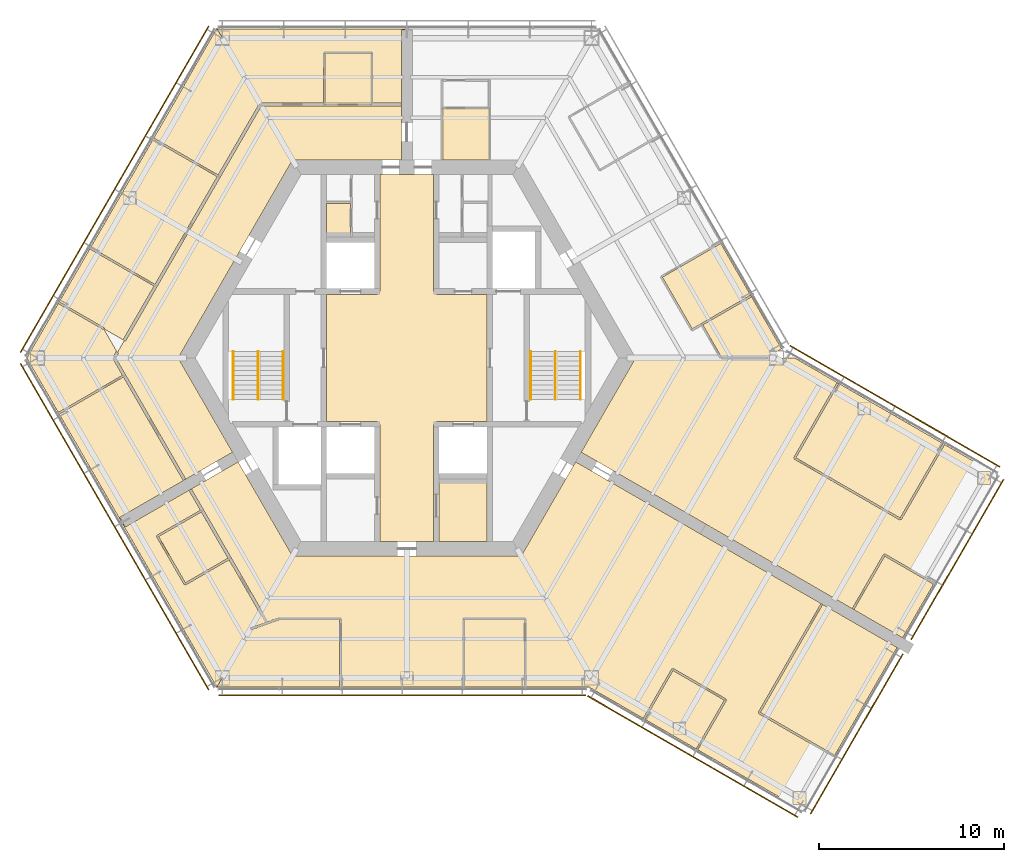
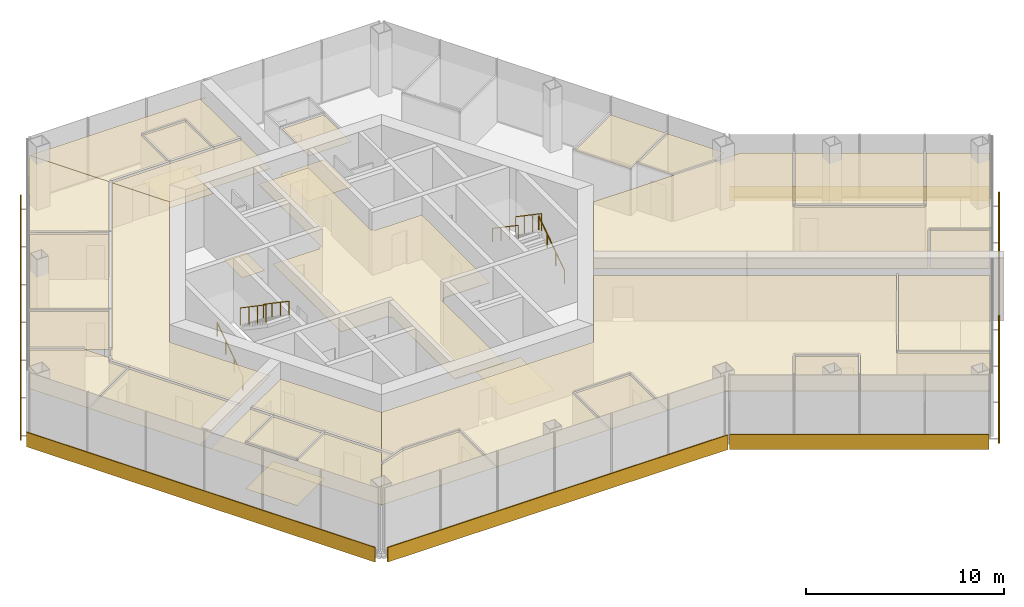
# One storey, part 15 of 16: 29 coverings, 7 shading devices, 6 railings.
"""IFC4 building model written with IfcOpenShell, lengths in metres."""

from ifc_helpers import new_model, si_unit, direction, frame, origin, origin_2d, place, context, subcontext, project, spatial, polyline, rectangle, circle, outline, extrude, material, layer, layer_set, type_object, element, save


model = new_model("IFC4")

# Units and contexts
model_context = context("Model", 3, precision=1e-05, world=origin(), true_north=direction((0.0, 1.0)))
body_context = subcontext(model_context, "Body", "Model", "MODEL_VIEW")
ifc_project = project(units=[si_unit("LENGTHUNIT", "METRE"), si_unit("AREAUNIT", "SQUARE_METRE"), si_unit("VOLUMEUNIT", "CUBIC_METRE"), si_unit("PLANEANGLEUNIT", "RADIAN"), si_unit("MASSUNIT", "GRAM", prefix="KILO")], contexts=[model_context])

# Site, building, storey
site_placement = place(None, origin())
site = spatial("IfcSite", under=ifc_project, at=site_placement, CompositionType="ELEMENT")
building_placement = place(site_placement, origin())
building = spatial("IfcBuilding", under=site, at=building_placement, Name="Kasaneha Research Tower", CompositionType="ELEMENT")
storey_placement = place(building_placement, frame((0.0, 0.0, 255.699951171875)))
storey = spatial("IfcBuildingStorey", under=building, at=storey_placement, Name="L64", CompositionType="ELEMENT", Elevation=255.699951171875)

# Covering
ifc_material_1 = material(Name="Aluminium panel ceiling", Category="aluminium")
ifc_layer_1 = layer(ifc_material_1, 0.0400390625)
ifc_layer_set_1 = layer_set([ifc_layer_1], Name="Lift lobby ceiling 40")
covering_type_1 = type_object("IfcCoveringType", Name="Lift lobby ceiling 40", PredefinedType="CEILING", material=ifc_layer_set_1)
covering_1_placement = place(storey_placement, frame((0.0, 0.0, 2.699951171875)))
element("IfcCovering", 1, at=covering_1_placement, inside=storey, type_object=covering_type_1, Name="Ceiling L64-01", PredefinedType="CEILING", context=body_context, shape_type="SweptSolid", body=[
    extrude(outline(polyline([(1.449951171875, 9.925048828125), (1.449951171875, 3.60009765625), (1.60009765625, 3.60009765625), (1.60009765625, 3.449951171875), (4.35009765625, 3.449951171875), (4.35009765625, -3.449951171875), (1.60009765625, -3.449951171875), (1.60009765625, -3.60009765625), (1.449951171875, -3.60009765625), (1.449951171875, -9.925048828125), (-1.449951171875, -9.925048828125), (-1.449951171875, -3.60009765625), (-1.60009765625, -3.60009765625), (-1.60009765625, -3.449951171875), (-4.35009765625, -3.449951171875), (-4.35009765625, 3.449951171875), (-1.60009765625, 3.449951171875), (-1.60009765625, 3.60009765625), (-1.449951171875, 3.60009765625), (-1.449951171875, 9.925048828125), (1.449951171875, 9.925048828125)])), origin(), (0.0, 0.0, 1.0), 0.0400390625),
])

# Railings
ifc_material_2 = material(Name="Steel", Category="steel")
railing_type_1 = type_object("IfcRailingType", Name="Stair balustrade 1100", PredefinedType="GUARDRAIL", material=ifc_material_2)
for number, where, name in (
    (2, (8.050048828125, 0.35009765625, 2.12744140625), "Stair 1 balustrade L64"),
    (3, (-8.050048828125, 0.35009765625, 2.12744140625), "Stair 2 balustrade L64"),
):
    element("IfcRailing", number, at=place(storey_placement, frame(where)), inside=storey, type_object=railing_type_1, Name=name, PredefinedType="GUARDRAIL", context=body_context, shape_type="SweptSolid", body=[
        extrude(circle(Radius=0.02392578125, at=origin_2d()), frame((0.0, 0.0, 1.076171875), z_axis=(0.0, -0.826240473404, 0.563317565952), x_axis=(1.0, 0.0, 0.0)), (0.0, 0.0, 1.0), 3.14697265625),
        extrude(circle(Radius=0.02099609375, at=origin_2d()), origin(), (0.0, 0.0, 1.0), 1.052001953125),
        extrude(circle(Radius=0.02099609375, at=origin_2d()), frame((0.0, -0.86669921875, 0.5908203125)), (0.0, 0.0, 1.0), 1.052001953125),
        extrude(circle(Radius=0.02099609375, at=origin_2d()), frame((0.0, -1.7333984375, 1.181884765625)), (0.0, 0.0, 1.0), 1.052001953125),
        extrude(circle(Radius=0.02099609375, at=origin_2d()), frame((0.0, -2.60009765625, 1.772705078125)), (0.0, 0.0, 1.0), 1.052001953125),
    ])
ifc_material_3 = material(Name="Steel", Category="steel")
railing_type_2 = type_object("IfcRailingType", Name="Stair handrail 850", PredefinedType="HANDRAIL", material=ifc_material_3)
railing_1_placement = place(storey_placement, frame((9.39990234375, -2.25, 0.17724609375)))
element("IfcRailing", 4, at=railing_1_placement, inside=storey, type_object=railing_type_2, Name="Stair 1 handrail L64", PredefinedType="HANDRAIL", context=body_context, shape_type="SweptSolid", body=[
    extrude(circle(Radius=0.02392578125, at=origin_2d()), frame((0.0, 0.0, 0.826171875), z_axis=(0.0, 0.826240473404, 0.563317565952), x_axis=(-1.0, 0.0, 0.0)), (0.0, 0.0, 1.0), 3.14697265625),
    extrude(circle(Radius=0.02099609375, at=origin_2d()), origin(), (0.0, 0.0, 1.0), 0.802001953125),
    extrude(circle(Radius=0.02099609375, at=origin_2d()), frame((0.0, 0.86669921875, 0.5908203125)), (0.0, 0.0, 1.0), 0.802001953125),
    extrude(circle(Radius=0.02099609375, at=origin_2d()), frame((0.0, 1.7333984375, 1.181884765625)), (0.0, 0.0, 1.0), 0.802001953125),
    extrude(circle(Radius=0.02099609375, at=origin_2d()), frame((0.0, 2.60009765625, 1.772705078125)), (0.0, 0.0, 1.0), 0.802001953125),
])
railing_2_placement = place(storey_placement, frame((6.699951171875, 0.35009765625, 2.12744140625)))
element("IfcRailing", 5, at=railing_2_placement, inside=storey, type_object=railing_type_2, Name="Stair 1 handrail L64", PredefinedType="HANDRAIL", context=body_context, shape_type="SweptSolid", body=[
    extrude(circle(Radius=0.02392578125, at=origin_2d()), frame((0.0, 0.0, 0.826171875), z_axis=(0.0, -0.826240473404, 0.563317565952), x_axis=(1.0, 0.0, 0.0)), (0.0, 0.0, 1.0), 3.14697265625),
    extrude(circle(Radius=0.02099609375, at=origin_2d()), origin(), (0.0, 0.0, 1.0), 0.802001953125),
    extrude(circle(Radius=0.02099609375, at=origin_2d()), frame((0.0, -0.86669921875, 0.5908203125)), (0.0, 0.0, 1.0), 0.802001953125),
    extrude(circle(Radius=0.02099609375, at=origin_2d()), frame((0.0, -1.7333984375, 1.181884765625)), (0.0, 0.0, 1.0), 0.802001953125),
    extrude(circle(Radius=0.02099609375, at=origin_2d()), frame((0.0, -2.60009765625, 1.772705078125)), (0.0, 0.0, 1.0), 0.802001953125),
])
railing_3_placement = place(storey_placement, frame((-9.39990234375, -2.25, 0.17724609375)))
element("IfcRailing", 6, at=railing_3_placement, inside=storey, type_object=railing_type_2, Name="Stair 2 handrail L64", PredefinedType="HANDRAIL", context=body_context, shape_type="SweptSolid", body=[
    extrude(circle(Radius=0.02392578125, at=origin_2d()), frame((0.0, 0.0, 0.826171875), z_axis=(0.0, 0.826240473404, 0.563317565952), x_axis=(-1.0, 0.0, 0.0)), (0.0, 0.0, 1.0), 3.14697265625),
    extrude(circle(Radius=0.02099609375, at=origin_2d()), origin(), (0.0, 0.0, 1.0), 0.802001953125),
    extrude(circle(Radius=0.02099609375, at=origin_2d()), frame((0.0, 0.86669921875, 0.5908203125)), (0.0, 0.0, 1.0), 0.802001953125),
    extrude(circle(Radius=0.02099609375, at=origin_2d()), frame((0.0, 1.7333984375, 1.181884765625)), (0.0, 0.0, 1.0), 0.802001953125),
    extrude(circle(Radius=0.02099609375, at=origin_2d()), frame((0.0, 2.60009765625, 1.772705078125)), (0.0, 0.0, 1.0), 0.802001953125),
])
railing_4_placement = place(storey_placement, frame((-6.699951171875, 0.35009765625, 2.12744140625)))
element("IfcRailing", 7, at=railing_4_placement, inside=storey, type_object=railing_type_2, Name="Stair 2 handrail L64", PredefinedType="HANDRAIL", context=body_context, shape_type="SweptSolid", body=[
    extrude(circle(Radius=0.02392578125, at=origin_2d()), frame((0.0, 0.0, 0.826171875), z_axis=(0.0, -0.826240473404, 0.563317565952), x_axis=(1.0, 0.0, 0.0)), (0.0, 0.0, 1.0), 3.14697265625),
    extrude(circle(Radius=0.02099609375, at=origin_2d()), origin(), (0.0, 0.0, 1.0), 0.802001953125),
    extrude(circle(Radius=0.02099609375, at=origin_2d()), frame((0.0, -0.86669921875, 0.5908203125)), (0.0, 0.0, 1.0), 0.802001953125),
    extrude(circle(Radius=0.02099609375, at=origin_2d()), frame((0.0, -1.7333984375, 1.181884765625)), (0.0, 0.0, 1.0), 0.802001953125),
    extrude(circle(Radius=0.02099609375, at=origin_2d()), frame((0.0, -2.60009765625, 1.772705078125)), (0.0, 0.0, 1.0), 0.802001953125),
])

# Coverings
ifc_material_4 = material(Name="Gypsum ceiling board", Category="gypsum")
ifc_layer_2 = layer(ifc_material_4, 0.02001953125)
ifc_layer_set_2 = layer_set([ifc_layer_2], Name="Suspended ceiling 20")
covering_type_2 = type_object("IfcCoveringType", Name="Suspended ceiling 20", PredefinedType="CEILING", material=ifc_layer_set_2)
covering_2_placement = place(storey_placement, frame((0.0, 0.0, 2.800048828125)))
element("IfcCovering", 8, at=covering_2_placement, inside=storey, type_object=covering_type_2, Name="Ceiling L64-26", PredefinedType="CEILING", context=body_context, shape_type="SweptSolid", body=[
    extrude(outline(polyline([(1.89990234375, 10.72509765625), (1.89990234375, 10.7451171875), (1.949951171875, 10.744873046875), (1.95458984375, 13.469970703125), (4.410400390625, 13.469970703125), (4.4150390625, 10.744873046875), (4.465087890625, 10.7451171875), (4.465087890625, 10.72509765625), (1.89990234375, 10.72509765625)])), origin(), (0.0, 0.0, 1.0), 0.02001953125),
])
covering_3_placement = place(storey_placement, frame((0.0, 0.0, 2.800048828125)))
element("IfcCovering", 9, at=covering_3_placement, inside=storey, type_object=covering_type_2, Name="Ceiling L64-28", PredefinedType="CEILING", context=body_context, shape_type="SweptSolid", body=[
    extrude(outline(polyline([(18.63720703125, 3.360595703125), (18.619873046875, 3.3505859375), (18.5947265625, 3.393798828125), (15.923095703125, 1.851318359375), (15.923095703125, 1.851318359375), (15.451171875, 1.578857421875), (13.835693359375, 4.376953125), (16.99658203125, 6.201904296875), (18.63720703125, 3.360595703125)])), origin(), (0.0, 0.0, 1.0), 0.02001953125),
])
covering_4_placement = place(storey_placement, frame((0.0, 0.0, 2.800048828125)))
element("IfcCovering", 10, at=covering_4_placement, inside=storey, type_object=covering_type_2, Name="Ceiling L64-30", PredefinedType="CEILING", context=body_context, shape_type="SweptSolid", body=[
    extrude(outline(polyline([(16.997802734375, 0.0), (16.986328125, 0.02001953125), (17.029541015625, 0.044921875), (16.024658203125, 1.79443359375), (18.644775390625, 3.30712890625), (18.619873046875, 3.3505859375), (18.63720703125, 3.360595703125), (20.28759765625, 0.501708984375), (19.41845703125, 0.0), (16.997802734375, 0.0)])), origin(), (0.0, 0.0, 1.0), 0.02001953125),
])
covering_5_placement = place(storey_placement, frame((0.0, 0.0, 2.800048828125)))
element("IfcCovering", 11, at=covering_5_placement, inside=storey, type_object=covering_type_2, Name="Ceiling L64-32", PredefinedType="CEILING", context=body_context, shape_type="SweptSolid", body=[
    extrude(outline(polyline([(-0.300048828125, 11.72509765625), (-0.300048828125, 10.72509765625), (-6.192138671875, 10.72509765625), (-7.880859375, 13.64990234375), (-4.469970703125, 13.64990234375), (-4.46044921875, 13.64990234375), (-1.904541015625, 13.64990234375), (-1.89501953125, 13.64990234375), (-0.320068359375, 13.64990234375), (-0.320068359375, 13.72509765625), (-0.300048828125, 13.72509765625), (-0.300048828125, 12.72509765625), (-0.300048828125, 11.72509765625)])), origin(), (0.0, 0.0, 1.0), 0.02001953125),
])
covering_6_placement = place(storey_placement, frame((0.0, 0.0, 2.800048828125)))
element("IfcCovering", 12, at=covering_6_placement, inside=storey, type_object=covering_type_2, Name="Ceiling L64-33", PredefinedType="CEILING", context=body_context, shape_type="SweptSolid", body=[
    extrude(outline(polyline([(-1.9501953125, 16.47509765625), (-1.954345703125, 13.800048828125), (-4.41064453125, 13.800048828125), (-4.4150390625, 16.47509765625), (-1.9501953125, 16.47509765625)])), origin(), (0.0, 0.0, 1.0), 0.02001953125),
])
covering_7_placement = place(storey_placement, frame((0.0, 0.0, 2.800048828125)))
element("IfcCovering", 13, at=covering_7_placement, inside=storey, type_object=covering_type_2, Name="Ceiling L64-34", PredefinedType="CEILING", context=body_context, shape_type="SweptSolid", body=[
    extrude(outline(polyline([(-0.320068359375, 13.7255859375), (-0.320068359375, 13.800048828125), (-1.8544921875, 13.800048828125), (-1.85009765625, 16.52490234375), (-1.899658203125, 16.52490234375), (-1.899658203125, 16.525390625), (-1.89990234375, 16.525390625), (-1.89990234375, 16.574951171875), (-4.465087890625, 16.574951171875), (-4.465087890625, 16.525390625), (-4.465087890625, 16.52490234375), (-4.514892578125, 16.52490234375), (-4.510498046875, 13.800048828125), (-7.90087890625, 13.800048828125), (-7.90087890625, 13.725341796875), (-7.92431640625, 13.725341796875), (-10.28857421875, 17.820556640625), (0.0, 17.820556640625), (0.0, 17.7705078125), (-0.300048828125, 17.7705078125), (-0.300048828125, 17.7705078125), (-0.300048828125, 13.7255859375), (-0.320068359375, 13.7255859375)])), origin(), (0.0, 0.0, 1.0), 0.02001953125),
])
covering_8_placement = place(storey_placement, frame((0.0, 0.0, 2.800048828125)))
element("IfcCovering", 14, at=covering_8_placement, inside=storey, type_object=covering_type_2, Name="Ceiling L64-35", PredefinedType="CEILING", context=body_context, shape_type="SweptSolid", body=[
    extrude(outline(polyline([(-12.38427734375, 0.0), (-9.438232421875, -5.102783203125), (-10.30419921875, -5.602783203125), (-10.30419921875, -5.602783203125), (-11.170166015625, -6.102783203125), (-11.170166015625, -6.102783203125), (-12.0361328125, -6.602783203125), (-12.046142578125, -6.58544921875), (-11.981201171875, -6.5478515625), (-15.239013671875, -0.905517578125), (-15.239013671875, -0.905517578125), (-15.76171875, 0.0), (-15.607177734375, 0.267578125), (-15.672119140625, 0.304931640625), (-15.30419921875, 0.9423828125), (-15.2392578125, 0.90478515625), (-13.5263671875, 3.871337890625), (-13.526611328125, 3.871337890625), (-10.111328125, 9.786865234375), (-10.111328125, 9.786865234375), (-7.880859375, 13.64990234375), (-7.880859375, 13.64990234375), (-6.192138671875, 10.72509765625), (-12.38427734375, 0.0)])), origin(), (0.0, 0.0, 1.0), 0.02001953125),
])
covering_9_placement = place(storey_placement, frame((0.0, 0.0, 2.800048828125)))
element("IfcCovering", 15, at=covering_9_placement, inside=storey, type_object=covering_type_2, Name="Ceiling L64-36", PredefinedType="CEILING", context=body_context, shape_type="SweptSolid", body=[
    extrude(outline(polyline([(-12.027587890625, 14.83251953125), (-10.299072265625, 17.826416015625), (-10.291748046875, 17.83203125), (-10.282470703125, 17.830810546875), (-7.912353515625, 13.725830078125), (-7.917236328125, 13.714111328125), (-7.924560546875, 13.725341796875), (-7.93603515625, 13.705322265625), (-8.000732421875, 13.742431640625), (-10.21630859375, 9.905029296875), (-13.7001953125, 11.911376953125), (-12.023193359375, 14.816162109375), (-12.029052734375, 14.82373046875), (-12.027587890625, 14.83251953125)])), origin(), (0.0, 0.0, 1.0), 0.02001953125),
])
covering_10_placement = place(storey_placement, frame((0.0, 0.0, 2.800048828125)))
element("IfcCovering", 16, at=covering_10_placement, inside=storey, type_object=covering_type_2, Name="Ceiling L64-37", PredefinedType="CEILING", context=body_context, shape_type="SweptSolid", body=[
    extrude(outline(polyline([(-17.12353515625, 5.9423828125), (-17.1484375, 5.899169921875), (-13.68603515625, 3.89501953125), (-15.36669921875, 0.984130859375), (-16.413330078125, 1.58837890625), (-16.38818359375, 1.6318359375), (-18.823486328125, 3.037841796875), (-17.140869140625, 5.952392578125), (-17.12353515625, 5.9423828125)])), origin(), (0.0, 0.0, 1.0), 0.02001953125),
])
covering_11_placement = place(storey_placement, frame((0.0, 0.0, 2.800048828125)))
element("IfcCovering", 17, at=covering_11_placement, inside=storey, type_object=covering_type_2, Name="Ceiling L64-38", PredefinedType="CEILING", context=body_context, shape_type="SweptSolid", body=[
    extrude(outline(polyline([(-20.577880859375, 0.0), (-18.873779296875, 2.951171875), (-16.438232421875, 1.545166015625), (-16.416015625, 1.58349609375), (-15.680908203125, 0.31005859375), (-15.737060546875, 0.342529296875), (-15.913330078125, 0.03759765625), (-15.848388671875, 0.0), (-15.913330078125, -0.03759765625), (-15.393798828125, -0.937255859375), (-18.87353515625, -2.951171875), (-20.577880859375, 0.0)])), origin(), (0.0, 0.0, 1.0), 0.02001953125),
])
covering_12_placement = place(storey_placement, frame((0.0, 0.0, 2.800048828125)))
element("IfcCovering", 18, at=covering_12_placement, inside=storey, type_object=covering_type_2, Name="Ceiling L64-39", PredefinedType="CEILING", context=body_context, shape_type="SweptSolid", body=[
    extrude(outline(polyline([(-17.140380859375, 5.952880859375), (-13.750244140625, 11.82470703125), (-10.26611328125, 9.818359375), (-13.63623046875, 3.981689453125), (-17.098388671875, 5.985595703125), (-17.123291015625, 5.94287109375), (-17.140380859375, 5.952880859375)])), origin(), (0.0, 0.0, 1.0), 0.02001953125),
])
covering_13_placement = place(storey_placement, frame((0.0, 0.0, 2.800048828125)))
element("IfcCovering", 19, at=covering_13_placement, inside=storey, type_object=covering_type_2, Name="Ceiling L64-40", PredefinedType="CEILING", context=body_context, shape_type="SweptSolid", body=[
    extrude(outline(polyline([(-15.539794921875, -8.62548828125), (-15.3896484375, -8.88525390625), (-15.43310546875, -8.91015625), (-18.823486328125, -3.037841796875), (-15.34375, -1.023681640625), (-12.111083984375, -6.622802734375), (-12.046630859375, -6.585693359375), (-12.03662109375, -6.60302734375), (-15.539794921875, -8.62548828125), (-15.539794921875, -8.62548828125), (-15.539794921875, -8.62548828125)])), origin(), (0.0, 0.0, 1.0), 0.02001953125),
])
covering_14_placement = place(storey_placement, frame((0.0, 0.0, 2.800048828125)))
element("IfcCovering", 20, at=covering_14_placement, inside=storey, type_object=covering_type_2, Name="Ceiling L64-41", PredefinedType="CEILING", context=body_context, shape_type="SweptSolid", body=[
    extrude(outline(polyline([(-10.8701171875, -6.622314453125), (-10.004150390625, -6.122314453125), (-10.004150390625, -6.122314453125), (-9.13818359375, -5.622314453125), (-6.192138671875, -10.72509765625), (-7.880859375, -13.64990234375), (-9.5234375, -10.8046875), (-9.5234375, -10.804931640625), (-11.023681640625, -8.206298828125), (-11.023681640625, -8.206298828125), (-11.6611328125, -7.10205078125), (-11.726318359375, -7.1396484375), (-11.736083984375, -7.122314453125), (-10.8701171875, -6.622314453125), (-10.8701171875, -6.622314453125)])), origin(), (0.0, 0.0, 1.0), 0.02001953125),
])
covering_15_placement = place(storey_placement, frame((0.0, 0.0, 2.800048828125)))
element("IfcCovering", 21, at=covering_15_placement, inside=storey, type_object=covering_type_2, Name="Ceiling L64-42", PredefinedType="CEILING", context=body_context, shape_type="SweptSolid", body=[
    extrude(outline(polyline([(-13.44287109375, -9.66650390625), (-11.1240234375, -8.332763671875), (-9.67822265625, -10.836669921875), (-11.992919921875, -12.177734375), (-13.44287109375, -9.66650390625)])), origin(), (0.0, 0.0, 1.0), 0.02001953125),
])
covering_16_placement = place(storey_placement, frame((0.0, 0.0, 2.800048828125)))
element("IfcCovering", 22, at=covering_16_placement, inside=storey, type_object=covering_type_2, Name="Ceiling L64-43", PredefinedType="CEILING", context=body_context, shape_type="SweptSolid", body=[
    extrude(outline(polyline([(-11.7265625, -7.139892578125), (-11.791259765625, -7.177001953125), (-11.174072265625, -8.24609375), (-13.5361328125, -9.604736328125), (-13.51123046875, -9.64794921875), (-13.511474609375, -9.648193359375), (-13.511474609375, -9.648193359375), (-13.554443359375, -9.673095703125), (-12.054443359375, -12.271240234375), (-12.011474609375, -12.246337890625), (-12.011474609375, -12.24658203125), (-12.010986328125, -12.246337890625), (-11.986083984375, -12.28955078125), (-9.628173828125, -10.923095703125), (-8.000732421875, -13.742431640625), (-7.93603515625, -13.705322265625), (-7.92431640625, -13.725341796875), (-8.435302734375, -14.610107421875), (-8.461669921875, -14.61962890625), (-8.45361328125, -14.64208984375), (-10.28857421875, -17.820556640625), (-15.43310546875, -8.91015625), (-15.3896484375, -8.88525390625), (-15.23974609375, -9.14501953125), (-15.23974609375, -9.14501953125), (-15.23974609375, -9.14501953125), (-11.736572265625, -7.12255859375), (-11.7265625, -7.139892578125)])), origin(), (0.0, 0.0, 1.0), 0.02001953125),
])
covering_17_placement = place(storey_placement, frame((0.0, 0.0, 2.800048828125)))
element("IfcCovering", 23, at=covering_17_placement, inside=storey, type_object=covering_type_2, Name="Ceiling L64-44", PredefinedType="CEILING", context=body_context, shape_type="SweptSolid", body=[
    extrude(outline(polyline([(29.03173828125, -4.63720703125), (26.706787109375, -8.6640625), (21.060546875, -5.404296875), (23.37548828125, -1.39453125), (23.332275390625, -1.36962890625), (23.34228515625, -1.352294921875), (29.03173828125, -4.63720703125)])), origin(), (0.0, 0.0, 1.0), 0.02001953125),
])
covering_18_placement = place(storey_placement, frame((0.0, 0.0, 2.800048828125)))
element("IfcCovering", 24, at=covering_18_placement, inside=storey, type_object=covering_type_2, Name="Ceiling L64-45", PredefinedType="CEILING", context=body_context, shape_type="SweptSolid", body=[
    extrude(outline(polyline([(24.15673828125, -13.600341796875), (24.166748046875, -13.5830078125), (24.2099609375, -13.608154296875), (25.875, -10.724365234375), (28.516357421875, -12.249267578125), (26.84130859375, -15.150390625), (24.15673828125, -13.600341796875)])), origin(), (0.0, 0.0, 1.0), 0.02001953125),
])
covering_19_placement = place(storey_placement, frame((0.0, 0.0, 2.800048828125)))
element("IfcCovering", 25, at=covering_19_placement, inside=storey, type_object=covering_type_2, Name="Ceiling L64-46", PredefinedType="CEILING", context=body_context, shape_type="SweptSolid", body=[
    extrude(outline(polyline([(10.30419921875, -5.602783203125), (10.30419921875, -5.602783203125), (9.438232421875, -5.102783203125), (12.38427734375, 0.0), (16.93994140625, 0.0), (16.94287109375, -0.0048828125), (16.951416015625, 0.0), (21.0, 0.0), (23.341796875, -1.35205078125), (23.331787109375, -1.369384765625), (23.288818359375, -1.344482421875), (20.948974609375, -5.397705078125), (20.9921875, -5.422607421875), (20.96728515625, -5.4658203125), (26.699951171875, -8.775634765625), (26.724853515625, -8.73291015625), (26.724853515625, -8.73291015625), (26.72509765625, -8.732421875), (26.768310546875, -8.75732421875), (29.1181640625, -4.68701171875), (31.94140625, -6.31689453125), (28.56640625, -12.16259765625), (25.881591796875, -10.61279296875), (25.85693359375, -10.65576171875), (25.8564453125, -10.655517578125), (25.8564453125, -10.65576171875), (25.8134765625, -10.631103515625), (24.123291015625, -13.55810546875), (24.166259765625, -13.582763671875), (24.15625, -13.60009765625), (11.170166015625, -6.102783203125), (11.170166015625, -6.102783203125), (10.30419921875, -5.602783203125)])), origin(), (0.0, 0.0, 1.0), 0.02001953125),
])
covering_20_placement = place(storey_placement, frame((0.0, 0.0, 2.800048828125)))
element("IfcCovering", 26, at=covering_20_placement, inside=storey, type_object=covering_type_2, Name="Ceiling L64-47", PredefinedType="CEILING", context=body_context, shape_type="SweptSolid", body=[
    extrude(outline(polyline([(-10.2890625, -17.820556640625), (-8.474609375, -14.67724609375), (-8.44482421875, -14.666748046875), (-8.427734375, -14.7138671875), (-6.906982421875, -14.16943359375), (-3.634521484375, -14.17041015625), (-3.634521484375, -17.800537109375), (-3.58447265625, -17.800537109375), (-3.58447265625, -17.820556640625), (-6.916015625, -17.821044921875), (-10.2890625, -17.820556640625)])), origin(), (0.0, 0.0, 1.0), 0.02001953125),
])
covering_21_placement = place(storey_placement, frame((0.0, 0.0, 2.800048828125)))
element("IfcCovering", 27, at=covering_21_placement, inside=storey, type_object=covering_type_2, Name="Ceiling L64-48", PredefinedType="CEILING", context=body_context, shape_type="SweptSolid", body=[
    extrude(outline(polyline([(3.077392578125, -17.820556640625), (3.077392578125, -17.800537109375), (3.12744140625, -17.800537109375), (3.12744140625, -14.17041015625), (6.3583984375, -14.17041015625), (6.3583984375, -17.800537109375), (6.408203125, -17.800537109375), (6.408203125, -17.820556640625), (3.077392578125, -17.820556640625)])), origin(), (0.0, 0.0, 1.0), 0.02001953125),
])
covering_22_placement = place(storey_placement, frame((0.0, 0.0, 2.800048828125)))
element("IfcCovering", 28, at=covering_22_placement, inside=storey, type_object=covering_type_2, Name="Ceiling L64-49", PredefinedType="CEILING", context=body_context, shape_type="SweptSolid", body=[
    extrude(outline(polyline([(23.141357421875, -21.55908203125), (23.1240234375, -21.549072265625), (23.14892578125, -21.505615234375), (19.139404296875, -19.190673828125), (22.50439453125, -13.3623046875), (22.4609375, -13.33740234375), (22.470947265625, -13.320068359375), (24.588623046875, -14.542724609375), (26.541259765625, -15.670166015625), (23.141357421875, -21.55908203125)])), origin(), (0.0, 0.0, 1.0), 0.02001953125),
])
covering_23_placement = place(storey_placement, frame((0.0, 0.0, 2.800048828125)))
element("IfcCovering", 29, at=covering_23_placement, inside=storey, type_object=covering_type_2, Name="Ceiling L64-50", PredefinedType="CEILING", context=body_context, shape_type="SweptSolid", body=[
    extrude(outline(polyline([(12.885498046875, -19.563720703125), (14.410400390625, -16.92236328125), (17.190185546875, -18.52734375), (15.665283203125, -21.168701171875), (12.885498046875, -19.563720703125)])), origin(), (0.0, 0.0, 1.0), 0.02001953125),
])
covering_24_placement = place(storey_placement, frame((0.0, 0.0, 2.800048828125)))
element("IfcCovering", 30, at=covering_24_placement, inside=storey, type_object=covering_type_2, Name="Ceiling L64-51", PredefinedType="CEILING", context=body_context, shape_type="SweptSolid", body=[
    extrude(outline(polyline([(9.13818359375, -5.622314453125), (10.004150390625, -6.122314453125), (10.004150390625, -6.122314453125), (10.8701171875, -6.622314453125), (10.8701171875, -6.622314453125), (17.888427734375, -10.67431640625), (22.470703125, -13.31982421875), (22.460693359375, -13.337158203125), (22.417724609375, -13.3125), (19.027587890625, -19.18408203125), (19.070556640625, -19.208740234375), (19.070556640625, -19.208984375), (19.07080078125, -19.209228515625), (19.0458984375, -19.252197265625), (23.09912109375, -21.59228515625), (23.123779296875, -21.549560546875), (23.14111328125, -21.5595703125), (21.44140625, -24.50341796875), (15.751953125, -21.21875), (17.302001953125, -18.533935546875), (17.2587890625, -18.50927734375), (17.259033203125, -18.5087890625), (17.2587890625, -18.5087890625), (17.28369140625, -18.4658203125), (14.417236328125, -16.810791015625), (14.392333984375, -16.853759765625), (14.392333984375, -16.853759765625), (14.39208984375, -16.85400390625), (14.348876953125, -16.8291015625), (12.798828125, -19.513916015625), (9.865966796875, -17.820556640625), (6.40869140625, -17.820556640625), (6.40869140625, -17.800537109375), (6.458251953125, -17.800537109375), (6.458251953125, -14.12060546875), (6.408447265625, -14.12060546875), (6.408447265625, -14.1201171875), (6.408203125, -14.1201171875), (6.408203125, -14.070556640625), (3.077392578125, -14.070556640625), (3.077392578125, -14.1201171875), (3.076904296875, -14.1201171875), (3.076904296875, -14.12060546875), (3.02734375, -14.12060546875), (3.02734375, -17.800537109375), (3.076904296875, -17.800537109375), (3.076904296875, -17.820556640625), (-3.583984375, -17.820556640625), (-3.583984375, -17.800537109375), (-3.534423828125, -17.800537109375), (-3.534423828125, -14.12060546875), (-3.584228515625, -14.12060546875), (-3.584228515625, -14.1201171875), (-3.58447265625, -14.1201171875), (-3.58447265625, -14.070556640625), (-6.915771484375, -14.069580078125), (-6.915771484375, -14.119384765625), (-6.9326171875, -14.072509765625), (-8.435302734375, -14.610107421875), (-7.901123046875, -13.68505859375), (-7.870849609375, -13.66748046875), (-7.880859375, -13.64990234375), (-6.192138671875, -10.72509765625), (6.192138671875, -10.72509765625), (9.13818359375, -5.622314453125)])), origin(), (0.0, 0.0, 1.0), 0.02001953125),
])

# Shading devices
ifc_material_5 = material(Name="Terracotta", Category="masonry")
ifc_layer_3 = layer(ifc_material_5, 0.06005859375)
ifc_layer_set_3 = layer_set([ifc_layer_3], Name="Terracotta baguette screen")
shading_device_type = type_object("IfcShadingDeviceType", Name="Terracotta baguette screen", PredefinedType="USERDEFINED", material=ifc_layer_set_3)
for number, where, z_axis, x_axis, name in (
    (31, (-15.82275390625, 9.13525390625, -0.449951171875), (0.0, 0.0, 1.0), (-0.499999995722, -0.866025406254, 0.0), "Baguette screen L64 03"),
    (32, (-15.82275390625, -9.13525390625, -0.449951171875), (0.0, 0.0, 1.0), (0.499999995722, -0.866025406254, 0.0), "Baguette screen L64 04"),
):
    element("IfcShadingDevice", number, at=place(storey_placement, frame(where, z_axis=z_axis, x_axis=x_axis)), inside=storey, type_object=shading_device_type, Name=name, ObjectType="TERRACOTTA BAGUETTE SCREEN", PredefinedType="USERDEFINED", context=body_context, shape_type="SweptSolid", body=[
        extrude(rectangle(XDim=20.392822265625, YDim=0.06005859375, at=origin_2d()), origin(), (0.0, 0.0, 1.0), 0.89990234375),
    ])
shading_device_1_placement = place(storey_placement, frame((-0.253662109375, -18.2705078125, -0.449951171875), z_axis=(0.0, 0.0, 1.0), x_axis=(1.0, 0.0, 0.0)))
element("IfcShadingDevice", 33, at=shading_device_1_placement, inside=storey, type_object=shading_device_type, Name="Baguette screen L64 05", ObjectType="TERRACOTTA BAGUETTE SCREEN", PredefinedType="USERDEFINED", context=body_context, shape_type="SweptSolid", body=[
    extrude(rectangle(XDim=19.8857421875, YDim=0.06005859375, at=origin_2d()), origin(), (0.0, 0.0, 1.0), 0.89990234375),
])
shading_device_2_placement = place(storey_placement, frame((15.483642578125, -21.58349609375, -0.449951171875), z_axis=(0.0, 0.0, 1.0), x_axis=(0.866025411464, -0.499999986699, 0.0)))
element("IfcShadingDevice", 34, at=shading_device_2_placement, inside=storey, type_object=shading_device_type, Name="Baguette screen L64 06", ObjectType="TERRACOTTA BAGUETTE SCREEN", PredefinedType="USERDEFINED", context=body_context, shape_type="SweptSolid", body=[
    extrude(rectangle(XDim=13.13916015625, YDim=0.06005859375, at=origin_2d()), origin(), (0.0, 0.0, 1.0), 0.89990234375),
])
for number, where, z_axis, x_axis, name in (
    (35, (24.35595703125, -20.35498046875, -0.449951171875), (0.0, 0.0, 1.0), (0.500000011442, 0.866025397178, 0.0), "Baguette screen L64 07"),
    (36, (29.80615234375, -10.91552734375, -0.449951171875), (0.0, 0.0, 1.0), (0.500000011442, 0.866025397178, 0.0), "Baguette screen L64 08"),
):
    element("IfcShadingDevice", number, at=place(storey_placement, frame(where, z_axis=z_axis, x_axis=x_axis)), inside=storey, type_object=shading_device_type, Name=name, ObjectType="TERRACOTTA BAGUETTE SCREEN", PredefinedType="USERDEFINED", context=body_context, shape_type="SweptSolid", body=[
        extrude(rectangle(XDim=10.0, YDim=0.06005859375, at=origin_2d()), origin(), (0.0, 0.0, 1.0), 0.89990234375),
    ])
shading_device_3_placement = place(storey_placement, frame((26.43359375, -2.617431640625, -0.449951171875), z_axis=(0.0, 0.0, 1.0), x_axis=(-0.866025411464, 0.499999986699, 0.0)))
element("IfcShadingDevice", 37, at=shading_device_3_placement, inside=storey, type_object=shading_device_type, Name="Baguette screen L64 09", ObjectType="TERRACOTTA BAGUETTE SCREEN", PredefinedType="USERDEFINED", context=body_context, shape_type="SweptSolid", body=[
    extrude(rectangle(XDim=13.13916015625, YDim=0.06005859375, at=origin_2d()), origin(), (0.0, 0.0, 1.0), 0.89990234375),
])

# Coverings
ifc_material_6 = material(Name="Vinyl sheet flooring", Category="plastic")
ifc_layer_4 = layer(ifc_material_6, 0.0048828125)
ifc_layer_set_4 = layer_set([ifc_layer_4], Name="Wet room sheet flooring 5")
covering_type_3 = type_object("IfcCoveringType", Name="Wet room sheet flooring 5", PredefinedType="FLOORING", material=ifc_layer_set_4)
covering_25_placement = place(storey_placement, origin())
element("IfcCovering", 38, at=covering_25_placement, inside=storey, type_object=covering_type_3, Name="Floor finish L64-07", PredefinedType="FLOORING", context=body_context, shape_type="SweptSolid", body=[
    extrude(outline(polyline([(-4.35009765625, 6.550048828125), (-4.35009765625, 8.375), (-3.050048828125, 8.375), (-3.050048828125, 6.550048828125), (-4.35009765625, 6.550048828125)])), origin(), (0.0, 0.0, 1.0), 0.005126953125),
])
covering_26_placement = place(storey_placement, origin())
element("IfcCovering", 39, at=covering_26_placement, inside=storey, type_object=covering_type_3, Name="Floor finish L64-13", PredefinedType="FLOORING", context=body_context, shape_type="SweptSolid", body=[
    extrude(outline(polyline([(1.75, -9.925048828125), (1.75, -6.550048828125), (4.35009765625, -6.550048828125), (4.35009765625, -9.925048828125), (1.75, -9.925048828125)])), origin(), (0.0, 0.0, 1.0), 0.005126953125),
])
covering_27_placement = place(storey_placement, origin())
element("IfcCovering", 40, at=covering_27_placement, inside=storey, type_object=covering_type_3, Name="Floor finish L64-26", PredefinedType="FLOORING", context=body_context, shape_type="SweptSolid", body=[
    extrude(outline(polyline([(4.465087890625, 13.52490234375), (4.465087890625, 10.72509765625), (1.89990234375, 10.72509765625), (1.89990234375, 13.52490234375), (4.465087890625, 13.52490234375)])), origin(), (0.0, 0.0, 1.0), 0.005126953125),
])
covering_28_placement = place(storey_placement, origin())
element("IfcCovering", 41, at=covering_28_placement, inside=storey, type_object=covering_type_3, Name="Floor finish L64-33", PredefinedType="FLOORING", context=body_context, shape_type="SweptSolid", body=[
    extrude(outline(polyline([(-4.465087890625, 16.52490234375), (-1.89990234375, 16.52490234375), (-1.89990234375, 13.72509765625), (-4.465087890625, 13.72509765625), (-4.465087890625, 16.52490234375)])), origin(), (0.0, 0.0, 1.0), 0.005126953125),
])
covering_29_placement = place(storey_placement, origin())
element("IfcCovering", 42, at=covering_29_placement, inside=storey, type_object=covering_type_3, Name="Floor finish L64-42", PredefinedType="FLOORING", context=body_context, shape_type="SweptSolid", body=[
    extrude(outline(polyline([(-12.010986328125, -12.246337890625), (-13.510986328125, -9.648193359375), (-11.086181640625, -8.248046875), (-9.586181640625, -10.84619140625), (-12.010986328125, -12.246337890625)])), origin(), (0.0, 0.0, 1.0), 0.005126953125),
])

save(model, "model.ifc")
